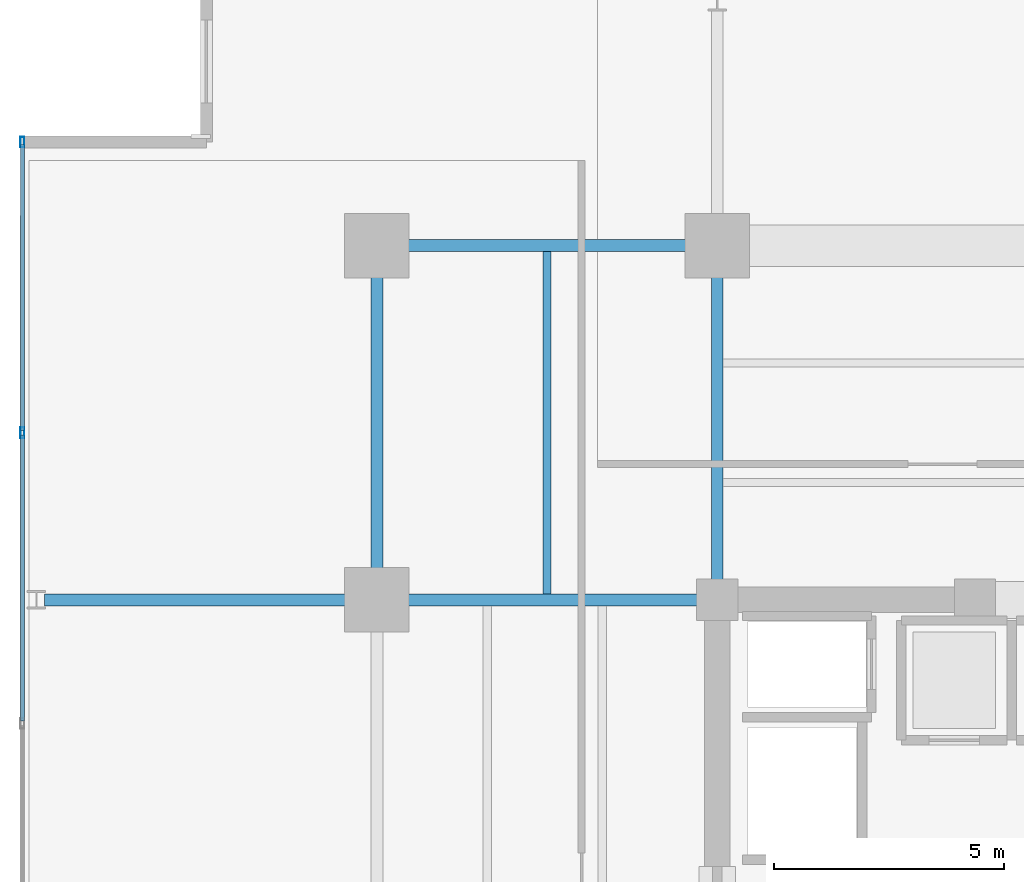
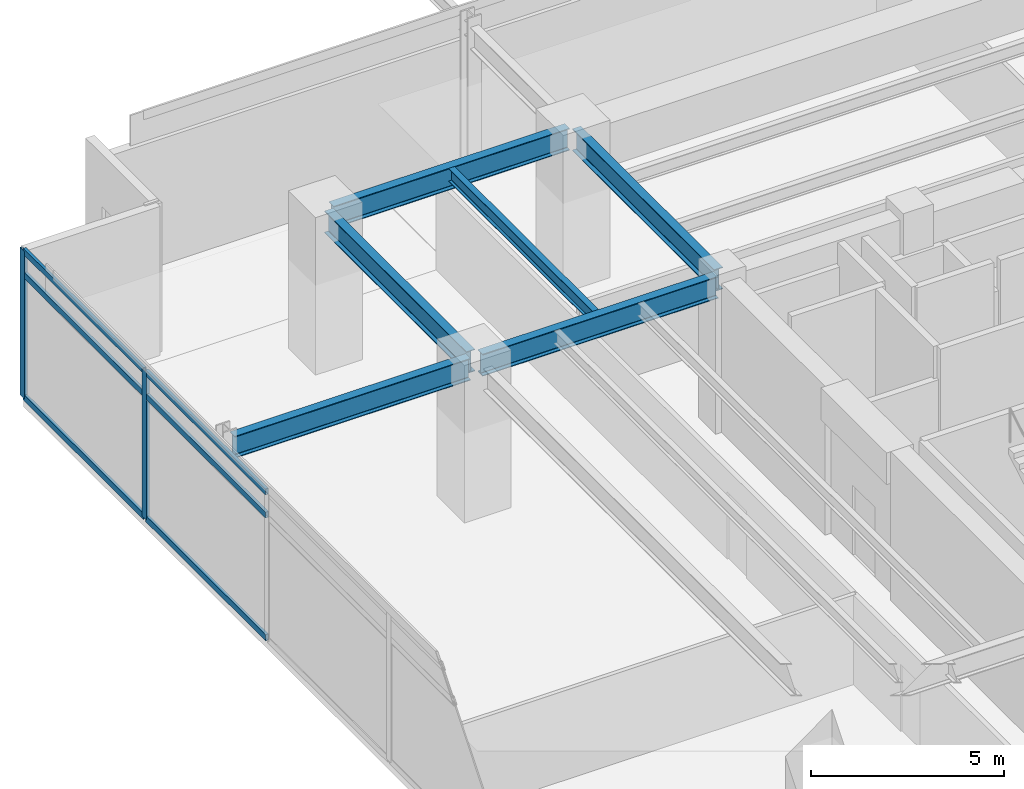
# One storey, part 10 of 25: 8 members, 6 beams, 1 element without a shape of its own.
"""IFC4 building model written with IfcOpenShell, lengths in metres."""

import ifcopenshell
import ifcopenshell.guid

model = None  # the IFC model being written
_history = None  # IfcOwnerHistory: only IFC2X3 demands one
_inside = {}  # id of a spatial element -> (the spatial element, [elements in it])
_under = {}  # id of a project, library or spatial element -> (it, [spatial elements below it])
_declared = {}  # id of a project -> (the project, [libraries it declares])
_typed = {}  # id of a type object -> (the type object, [elements of that type])
_made_of = {}  # id of a material, layer set ... -> (it, [elements and type objects made of it])


def new_model(schema):
    """Start an empty IFC model of exactly this schema.

    Asked for "IFC4X3", IfcOpenShell would pick the latest addendum, in which some entities
    have other attributes; the version numbers below select the first issue.
    IFC2X3 requires an IfcOwnerHistory on every rooted entity: one is made here for all.
    """
    global model, _history
    if schema == "IFC4X3":
        model = ifcopenshell.file(schema_version=(4, 3, 0, 0))
    else:
        model = ifcopenshell.file(schema=schema)
    _inside.clear()
    _under.clear()
    _declared.clear()
    _typed.clear()
    _made_of.clear()
    _history = None
    if model.schema == "IFC2X3":
        org = make("IfcOrganization", Name="unknown")
        user = make(
            "IfcPersonAndOrganization",
            ThePerson=make("IfcPerson", FamilyName="unknown"),
            TheOrganization=org,
        )
        app = make(
            "IfcApplication",
            ApplicationDeveloper=org,
            Version="unknown",
            ApplicationFullName="unknown",
            ApplicationIdentifier="unknown",
        )
        _history = make(
            "IfcOwnerHistory",
            OwningUser=user,
            OwningApplication=app,
            ChangeAction="ADDED",
            CreationDate=0,
        )
    return model


def make(cls, **values):
    """One entity of the class cls with the attributes given. An attribute that is None is left unset."""
    return model.create_entity(
        cls, **{name: value for name, value in values.items() if value is not None}
    )


def rooted(cls, **values):
    """An entity with a GlobalId (a new one), such as an element, a storey or a relation."""
    return make(cls, GlobalId=ifcopenshell.guid.new(), OwnerHistory=_history, **values)


def si_unit(unit_type, name, prefix=None):
    """IfcSIUnit, for example si_unit("LENGTHUNIT", "METRE", prefix="MILLI")."""
    return make("IfcSIUnit", UnitType=unit_type, Prefix=prefix, Name=name)


def assignment(units):
    """IfcUnitAssignment: the units of a project."""
    return None if units is None else make("IfcUnitAssignment", Units=units)


def point(xyz):
    """IfcCartesianPoint."""
    return None if xyz is None else make("IfcCartesianPoint", Coordinates=xyz)


def direction(xyz):
    """IfcDirection."""
    return None if xyz is None else make("IfcDirection", DirectionRatios=xyz)


def frame(location, z_axis=None, x_axis=None):
    """IfcAxis2Placement3D, a coordinate frame: its origin and axes. An axis left out is left unset."""
    return make(
        "IfcAxis2Placement3D",
        Location=point(location),
        Axis=direction(z_axis),
        RefDirection=direction(x_axis),
    )


def frame_2d(location, x_axis=None):
    """IfcAxis2Placement2D, a coordinate frame in the plane: its origin and x axis."""
    return make(
        "IfcAxis2Placement2D", Location=point(location), RefDirection=direction(x_axis)
    )


def origin():
    """The frame at (0, 0, 0) with its axes left unset."""
    return frame((0.0, 0.0, 0.0))


def origin_2d():
    """The frame at (0, 0) in the plane with its x axis left unset."""
    return frame_2d((0.0, 0.0))


def place(relative_to, where):
    """IfcLocalPlacement: puts the frame where relative to a parent placement (None: the world)."""
    return make(
        "IfcLocalPlacement", PlacementRelTo=relative_to, RelativePlacement=where
    )


def context(
    kind, dimensions, precision=None, world=None, true_north=None, identifier=None
):
    """IfcGeometricRepresentationContext, for example the 3D "Model" context."""
    return make(
        "IfcGeometricRepresentationContext",
        ContextIdentifier=identifier,
        ContextType=kind,
        CoordinateSpaceDimension=dimensions,
        Precision=precision,
        WorldCoordinateSystem=world,
        TrueNorth=true_north,
    )


def subcontext(parent, identifier, kind, view, scale=None):
    """IfcGeometricRepresentationSubContext, for example "Body" below "Model"."""
    return make(
        "IfcGeometricRepresentationSubContext",
        ContextIdentifier=identifier,
        ContextType=kind,
        ParentContext=parent,
        TargetScale=scale,
        TargetView=view,
    )


def project(units=None, contexts=None):
    """IfcProject with its units and contexts."""
    return rooted(
        "IfcProject",
        Name="project",
        RepresentationContexts=contexts,
        UnitsInContext=assignment(units),
    )


def spatial(cls, under=None, at=None, **own):
    """A site, building, storey or space (cls), placed at a placement, below another one or the project."""
    s = rooted(cls, ObjectPlacement=at, **own)
    if under is not None:
        _under.setdefault(under.id(), (under, []))[1].append(s)
    return s


def profile(cls, at=None, kind="AREA", **sizes):
    """A parametric profile (cls). Its sizes go by their IFC names, for example OverallWidth=200.0."""
    return make(cls, ProfileType=kind, Position=at, **sizes)


def hollow_rectangle(**sizes):
    """IfcRectangleHollowProfileDef."""
    return profile("IfcRectangleHollowProfileDef", **sizes)


def i_section(**sizes):
    """IfcIShapeProfileDef."""
    return profile("IfcIShapeProfileDef", **sizes)


def extrude(swept, where, along, depth):
    """IfcExtrudedAreaSolid: the profile swept, set in the frame where, extruded along a direction by depth."""
    return make(
        "IfcExtrudedAreaSolid",
        SweptArea=swept,
        Position=where,
        ExtrudedDirection=direction(along),
        Depth=depth,
    )


def shape(context_of_items, identifier, shape_type, items):
    """IfcShapeRepresentation: the items that make up one representation, for example the "Body"."""
    return make(
        "IfcShapeRepresentation",
        ContextOfItems=context_of_items,
        RepresentationIdentifier=identifier,
        RepresentationType=shape_type,
        Items=items,
    )


def material(Name=None, Category=None):
    """IfcMaterial."""
    return make("IfcMaterial", Name=Name, Category=Category)


def material_profile(
    of_material, cross_section, Name=None, Category=None, Priority=None
):
    """IfcMaterialProfile: a cross section and its material."""
    return make(
        "IfcMaterialProfile",
        Name=Name,
        Material=of_material,
        Profile=cross_section,
        Priority=Priority,
        Category=Category,
    )


def profile_set(profiles, Name=None, composite=None):
    """IfcMaterialProfileSet."""
    return make(
        "IfcMaterialProfileSet",
        Name=Name,
        MaterialProfiles=profiles,
        CompositeProfile=composite,
    )


def made_of(thing, what):
    """Note that an element or type object is made of a material, layer set ...; save() writes the relation."""
    if what is not None:
        _made_of.setdefault(what.id(), (what, []))[1].append(thing)
    return thing


def type_object(cls, material=None, **own):
    """A type object (cls), such as IfcWallType, which elements share."""
    return made_of(rooted(cls, **own), material)


def element(
    cls,
    number,
    at=None,
    inside=None,
    cuts=None,
    type_object=None,
    material=None,
    context=None,
    identifier="Body",
    shape_type=None,
    held_by="IfcProductDefinitionShape",
    body=None,
    shapes=None,
    **own,
):
    """One element of the class cls, such as IfcWall. Its Tag is "e" and its number.

    at: its placement. inside: the storey or other place that contains it. cuts: it is an
    opening in that element (IfcRelVoidsElement). A single representation is given by context,
    identifier, shape_type and body (its items); several are given by shapes. held_by: the class
    of the entity that holds the representations. save() writes the other relations.
    """
    e = rooted(cls, Tag="e%d" % number, ObjectPlacement=at, **own)
    if body is not None:
        shapes = [shape(context, identifier, shape_type, body)]
    if shapes is not None:
        e.Representation = make(held_by, Representations=shapes)
    if inside is not None:
        _inside.setdefault(inside.id(), (inside, []))[1].append(e)
    if cuts is not None:
        rooted(
            "IfcRelVoidsElement", RelatingBuildingElement=cuts, RelatedOpeningElement=e
        )
    if type_object is not None:
        _typed.setdefault(type_object.id(), (type_object, []))[1].append(e)
    return made_of(e, material)


def aggregate(whole, parts):
    """IfcRelAggregates: a whole, such as a stair, and the parts it consists of."""
    return rooted("IfcRelAggregates", RelatingObject=whole, RelatedObjects=parts)


def save(model, path):
    """Write the relations noted so far, then the file.

    IfcRelAggregates (storeys below a building ...), IfcRelContainedInSpatialStructure (elements
    in a storey), IfcRelDefinesByType, IfcRelAssociatesMaterial and IfcRelDeclares: one each for
    every whole, place, type object, material and project.
    """
    for whole, parts in _under.values():
        aggregate(whole, parts)
    for where, things in _inside.values():
        rooted(
            "IfcRelContainedInSpatialStructure",
            RelatedElements=things,
            RelatingStructure=where,
        )
    for kind, things in _typed.values():
        rooted("IfcRelDefinesByType", RelatedObjects=things, RelatingType=kind)
    for what, things in _made_of.values():
        rooted("IfcRelAssociatesMaterial", RelatedObjects=things, RelatingMaterial=what)
    for by, libraries in _declared.values():
        rooted("IfcRelDeclares", RelatingContext=by, RelatedDefinitions=libraries)
    model.write(path)


model = new_model("IFC4")

# Units and contexts
model_context = context("Model", 3, precision=1e-05, world=origin(), true_north=direction((0.0, 1.0)))
body_context = subcontext(model_context, "Body", "Model", "MODEL_VIEW")
ifc_project = project(units=[si_unit("LENGTHUNIT", "METRE"), si_unit("AREAUNIT", "SQUARE_METRE"), si_unit("VOLUMEUNIT", "CUBIC_METRE"), si_unit("PLANEANGLEUNIT", "RADIAN"), si_unit("MASSUNIT", "GRAM", prefix="KILO")], contexts=[model_context])

# Site, building, storey
site_placement = place(None, origin())
site = spatial("IfcSite", under=ifc_project, at=site_placement, CompositionType="ELEMENT")
building_placement = place(site_placement, origin())
building = spatial("IfcBuilding", under=site, at=building_placement, Name="Kovane Verandah Tower", CompositionType="ELEMENT")
storey_placement = place(building_placement, frame((0.0, 0.0, 233.199951171875)))
storey = spatial("IfcBuildingStorey", under=building, at=storey_placement, Name="L54", CompositionType="ELEMENT", Elevation=233.199951171875)

# Beams
ifc_material_1 = material(Name="Steel S355", Category="steel")
ifc_material_profile_1 = material_profile(ifc_material_1, i_section(OverallWidth=0.255859375, OverallDepth=0.69287109375, WebThickness=0.014404296875, FlangeThickness=0.023681640625, FilletRadius=0.01513671875, at=origin_2d()), Name="UB686x254x170")
ifc_profile_set_1 = profile_set([ifc_material_profile_1], Name="Steel S355")
beam_type_1 = type_object("IfcBeamType", Name="BM-UB686x170", PredefinedType="BEAM", material=ifc_profile_set_1)
beam_1_placement = place(storey_placement, frame((21.780029296875, 44.199951171875, 4.353759765625), z_axis=(1.0, 0.0, 0.0), x_axis=(0.0, 1.0, 0.0)))
element("IfcBeam", 1, at=beam_1_placement, inside=storey, type_object=beam_type_1, Name="L54 Primary Tower Girder G-RN1", PredefinedType="BEAM", context=body_context, shape_type="SweptSolid", body=[
    extrude(i_section(OverallWidth=0.255859375, OverallDepth=0.69287109375, WebThickness=0.014404296875, FlangeThickness=0.023681640625, FilletRadius=0.01513671875, at=origin_2d()), origin(), (0.0, 0.0, 1.0), 7.0400390625),
])
beam_2_placement = place(storey_placement, frame((21.60009765625, 36.679931640625, 4.353759765625), z_axis=(0.0, 1.0, 0.0), x_axis=(-1.0, 0.0, 0.0)))
element("IfcBeam", 2, at=beam_2_placement, inside=storey, type_object=beam_type_1, Name="L54 Primary Tower Girder G-RW3", PredefinedType="BEAM", context=body_context, shape_type="SweptSolid", body=[
    extrude(i_section(OverallWidth=0.255859375, OverallDepth=0.69287109375, WebThickness=0.014404296875, FlangeThickness=0.023681640625, FilletRadius=0.01513671875, at=origin_2d()), origin(), (0.0, 0.0, 1.0), 7.340087890625),
])
beam_3_placement = place(storey_placement, frame((28.820068359375, 36.5, 4.353759765625), z_axis=(-1.0, 0.0, 0.0), x_axis=(0.0, -1.0, 0.0)))
element("IfcBeam", 3, at=beam_3_placement, inside=storey, type_object=beam_type_1, Name="L54 Primary Tower Girder G-W2", PredefinedType="BEAM", context=body_context, shape_type="SweptSolid", body=[
    extrude(i_section(OverallWidth=0.255859375, OverallDepth=0.69287109375, WebThickness=0.014404296875, FlangeThickness=0.023681640625, FilletRadius=0.01513671875, at=origin_2d()), origin(), (0.0, 0.0, 1.0), 7.0400390625),
])
beam_4_placement = place(storey_placement, frame((29.0, 36.679931640625, 4.353759765625), z_axis=(0.0, 1.0, 0.0), x_axis=(-1.0, 0.0, 0.0)))
element("IfcBeam", 4, at=beam_4_placement, inside=storey, type_object=beam_type_1, Name="L54 Primary Tower Girder G-N1", PredefinedType="BEAM", context=body_context, shape_type="SweptSolid", body=[
    extrude(i_section(OverallWidth=0.255859375, OverallDepth=0.69287109375, WebThickness=0.014404296875, FlangeThickness=0.023681640625, FilletRadius=0.01513671875, at=origin_2d()), origin(), (0.0, 0.0, 1.0), 7.340087890625),
])
beam_5_placement = place(storey_placement, frame((21.419921875, 36.5, 4.353759765625), z_axis=(-1.0, 0.0, 0.0), x_axis=(0.0, -1.0, 0.0)))
element("IfcBeam", 5, at=beam_5_placement, inside=storey, type_object=beam_type_1, Name="L54 Primary Tower Girder G-VW2", PredefinedType="BEAM", context=body_context, shape_type="SweptSolid", body=[
    extrude(i_section(OverallWidth=0.255859375, OverallDepth=0.69287109375, WebThickness=0.014404296875, FlangeThickness=0.023681640625, FilletRadius=0.01513671875, at=origin_2d()), origin(), (0.0, 0.0, 1.0), 7.0400390625),
])

# Curtain wall, members
ifc_material_2 = material(Name="Champagne Anodised Aluminium Frame with Low-E Clear Laminated Glass", Category="aluminium")
curtain_wall_type = type_object("IfcCurtainWallType", Name="CW-SYS-03-MID", PredefinedType="NOTDEFINED", material=ifc_material_2)
curtain_wall_placement = place(storey_placement, origin())
curtain_wall = element("IfcCurtainWall", 6, at=curtain_wall_placement, inside=storey, type_object=curtain_wall_type, Name="L54 W Unitised Curtain Wall", PredefinedType="NOTDEFINED")
ifc_material_3 = material(Name="Champagne Anodised Aluminium 6063-T6", Category="aluminium")
ifc_material_profile_2 = material_profile(ifc_material_3, hollow_rectangle(XDim=0.0849609375, YDim=0.22998046875, WallThickness=0.00390625, at=origin_2d()), Name="AL85x230x4")
ifc_profile_set_2 = profile_set([ifc_material_profile_2], Name="Champagne Anodised Aluminium 6063-T6")
member_type_1 = type_object("IfcMemberType", Name="CW-MUL-85x230", PredefinedType="MULLION", material=ifc_profile_set_2)
member_1_placement = place(storey_placement, frame((13.892822265625, 46.44970703125, 0.02001953125), z_axis=(0.0, 0.0, 1.0), x_axis=(-1.0, 0.0, 0.0)))
member_1 = element("IfcMember", 7, at=member_1_placement, type_object=member_type_1, Name="L54 W Unitised Curtain Wall Mullion 1", PredefinedType="MULLION", context=body_context, shape_type="SweptSolid", body=[
    extrude(hollow_rectangle(XDim=0.0849609375, YDim=0.22998046875, WallThickness=0.00390625, at=origin_2d()), origin(), (0.0, 0.0, 1.0), 4.659912109375),
])
member_2_placement = place(storey_placement, frame((13.892822265625, 40.133056640625, 0.02001953125), z_axis=(0.0, 0.0, 1.0), x_axis=(-1.0, 0.0, 0.0)))
member_2 = element("IfcMember", 8, at=member_2_placement, type_object=member_type_1, Name="L54 W Unitised Curtain Wall Mullion 2", PredefinedType="MULLION", context=body_context, shape_type="SweptSolid", body=[
    extrude(hollow_rectangle(XDim=0.0849609375, YDim=0.22998046875, WallThickness=0.00390625, at=origin_2d()), origin(), (0.0, 0.0, 1.0), 4.659912109375),
])
ifc_material_profile_3 = material_profile(ifc_material_3, hollow_rectangle(XDim=0.0849609375, YDim=0.18994140625, WallThickness=0.00390625, at=origin_2d()), Name="AL85x190x4")
ifc_profile_set_3 = profile_set([ifc_material_profile_3], Name="Champagne Anodised Aluminium 6063-T6")
member_type_2 = type_object("IfcMemberType", Name="CW-TRN-85x190", PredefinedType="USERDEFINED", material=ifc_profile_set_3)
member_3_placement = place(storey_placement, frame((13.892822265625, 46.399658203125, 0.050048828125), z_axis=(0.0, -1.0, 0.0), x_axis=(1.0, 0.0, 0.0)))
member_3 = element("IfcMember", 9, at=member_3_placement, type_object=member_type_2, Name="L54 W Unitised Curtain Wall Transom TB Bay 1", ObjectType="TRANSOM", PredefinedType="USERDEFINED", context=body_context, shape_type="SweptSolid", body=[
    extrude(hollow_rectangle(XDim=0.0849609375, YDim=0.18994140625, WallThickness=0.00390625, at=origin_2d()), origin(), (0.0, 0.0, 1.0), 6.216552734375),
])
member_4_placement = place(storey_placement, frame((13.892822265625, 46.399658203125, 3.920166015625), z_axis=(0.0, -1.0, 0.0), x_axis=(1.0, 0.0, 0.0)))
member_4 = element("IfcMember", 10, at=member_4_placement, type_object=member_type_2, Name="L54 W Unitised Curtain Wall Transom TM Bay 1", ObjectType="TRANSOM", PredefinedType="USERDEFINED", context=body_context, shape_type="SweptSolid", body=[
    extrude(hollow_rectangle(XDim=0.0849609375, YDim=0.18994140625, WallThickness=0.00390625, at=origin_2d()), origin(), (0.0, 0.0, 1.0), 6.216552734375),
])
member_5_placement = place(storey_placement, frame((13.892822265625, 46.399658203125, 4.650146484375), z_axis=(0.0, -1.0, 0.0), x_axis=(1.0, 0.0, 0.0)))
member_5 = element("IfcMember", 11, at=member_5_placement, type_object=member_type_2, Name="L54 W Unitised Curtain Wall Transom TT Bay 1", ObjectType="TRANSOM", PredefinedType="USERDEFINED", context=body_context, shape_type="SweptSolid", body=[
    extrude(hollow_rectangle(XDim=0.0849609375, YDim=0.18994140625, WallThickness=0.00390625, at=origin_2d()), origin(), (0.0, 0.0, 1.0), 6.216552734375),
])
member_6_placement = place(storey_placement, frame((13.892822265625, 40.0830078125, 0.050048828125), z_axis=(0.0, -1.0, 0.0), x_axis=(1.0, 0.0, 0.0)))
member_6 = element("IfcMember", 12, at=member_6_placement, type_object=member_type_2, Name="L54 W Unitised Curtain Wall Transom TB Bay 2", ObjectType="TRANSOM", PredefinedType="USERDEFINED", context=body_context, shape_type="SweptSolid", body=[
    extrude(hollow_rectangle(XDim=0.0849609375, YDim=0.18994140625, WallThickness=0.00390625, at=origin_2d()), origin(), (0.0, 0.0, 1.0), 6.216552734375),
])
member_7_placement = place(storey_placement, frame((13.892822265625, 40.0830078125, 3.920166015625), z_axis=(0.0, -1.0, 0.0), x_axis=(1.0, 0.0, 0.0)))
member_7 = element("IfcMember", 13, at=member_7_placement, type_object=member_type_2, Name="L54 W Unitised Curtain Wall Transom TM Bay 2", ObjectType="TRANSOM", PredefinedType="USERDEFINED", context=body_context, shape_type="SweptSolid", body=[
    extrude(hollow_rectangle(XDim=0.0849609375, YDim=0.18994140625, WallThickness=0.00390625, at=origin_2d()), origin(), (0.0, 0.0, 1.0), 6.216552734375),
])
member_8_placement = place(storey_placement, frame((13.892822265625, 40.0830078125, 4.650146484375), z_axis=(0.0, -1.0, 0.0), x_axis=(1.0, 0.0, 0.0)))
member_8 = element("IfcMember", 14, at=member_8_placement, type_object=member_type_2, Name="L54 W Unitised Curtain Wall Transom TT Bay 2", ObjectType="TRANSOM", PredefinedType="USERDEFINED", context=body_context, shape_type="SweptSolid", body=[
    extrude(hollow_rectangle(XDim=0.0849609375, YDim=0.18994140625, WallThickness=0.00390625, at=origin_2d()), origin(), (0.0, 0.0, 1.0), 6.216552734375),
])
aggregate(curtain_wall, [member_1, member_2, member_3, member_4, member_5, member_6, member_7, member_8])

# Beam
ifc_material_profile_4 = material_profile(ifc_material_1, i_section(OverallWidth=0.179443359375, OverallDepth=0.412841796875, WebThickness=0.009521484375, FlangeThickness=0.01611328125, FilletRadius=0.01025390625, at=origin_2d()), Name="UB406x178x74")
ifc_profile_set_4 = profile_set([ifc_material_profile_4], Name="Steel S355")
beam_type_2 = type_object("IfcBeamType", Name="JST-UB406x74", PredefinedType="JOIST", material=ifc_profile_set_4)
beam_6_placement = place(storey_placement, frame((25.300048828125, 36.6259765625, 4.49365234375), z_axis=(0.0, 1.0, 0.0), x_axis=(-1.0, 0.0, 0.0)))
element("IfcBeam", 15, at=beam_6_placement, inside=storey, type_object=beam_type_2, Name="L54 Secondary Composite Joist J-NW1", PredefinedType="JOIST", context=body_context, shape_type="SweptSolid", body=[
    extrude(i_section(OverallWidth=0.179443359375, OverallDepth=0.412841796875, WebThickness=0.009521484375, FlangeThickness=0.01611328125, FilletRadius=0.01025390625, at=origin_2d()), origin(), (0.0, 0.0, 1.0), 7.4482421875),
])

save(model, "model.ifc")
